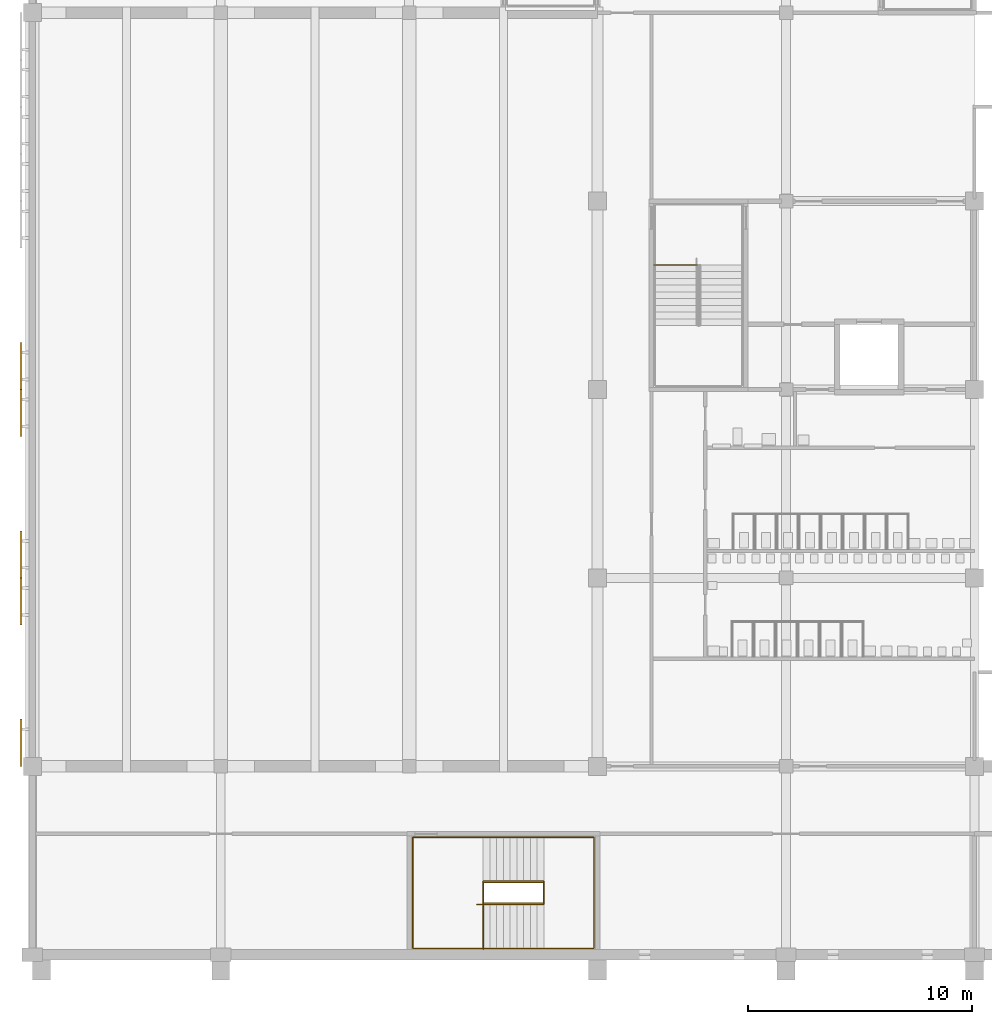
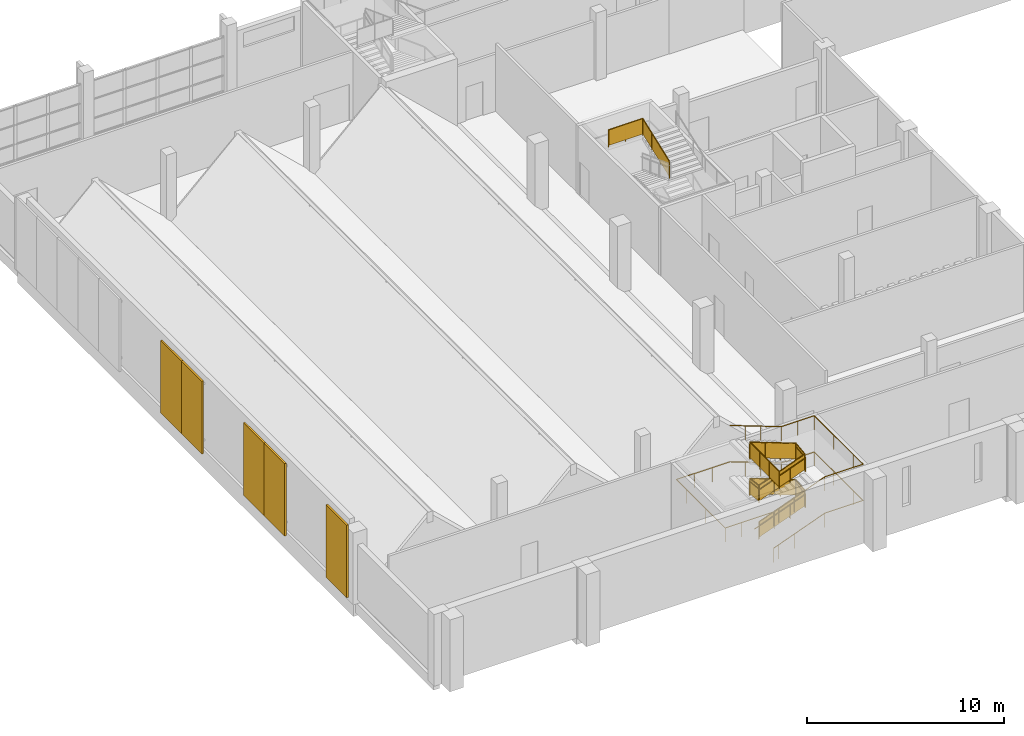
# One storey, part 44 of 56: 5 shading devices, 4 railings.
"""IFC4 building model written with IfcOpenShell, lengths in metres."""

from ifc_helpers import new_model, si_unit, direction, frame, origin, origin_2d, place, context, subcontext, project, spatial, polyline, rectangle, circle, outline, extrude, material, layer, layer_set, type_object, element, save


model = new_model("IFC4")

# Units and contexts
model_context = context("Model", 3, precision=1e-05, world=origin(), true_north=direction((0.0, 1.0)))
body_context = subcontext(model_context, "Body", "Model", "MODEL_VIEW")
ifc_project = project(units=[si_unit("LENGTHUNIT", "METRE"), si_unit("AREAUNIT", "SQUARE_METRE"), si_unit("VOLUMEUNIT", "CUBIC_METRE"), si_unit("PLANEANGLEUNIT", "RADIAN"), si_unit("MASSUNIT", "GRAM", prefix="KILO")], contexts=[model_context])

# Site, building, storey
site_placement = place(None, origin())
site = spatial("IfcSite", under=ifc_project, at=site_placement, CompositionType="ELEMENT")
building_placement = place(site_placement, origin())
building = spatial("IfcBuilding", under=site, at=building_placement, Name="Rulbaag Community and Learning Centre", CompositionType="ELEMENT")
storey_placement = place(building_placement, frame((0.0, 0.0, 9.89990234375)))
storey = spatial("IfcBuildingStorey", under=building, at=storey_placement, Name="L02", CompositionType="ELEMENT", Elevation=9.89990234375)

# Railings
ifc_material_1 = material(Name="Galvanised mild steel", Category="steel")
railing_type_1 = type_object("IfcRailingType", Name="GR-1100 GUARD 1100", PredefinedType="GUARDRAIL", material=ifc_material_1)
railing_1_placement = place(storey_placement, frame((29.719970703125, 28.050048828125, 3.487548828125)))
element("IfcRailing", 1, at=railing_1_placement, inside=storey, type_object=railing_type_1, Name="Guard SH1 L02 G4", PredefinedType="GUARDRAIL", context=body_context, shape_type="SweptSolid", body=[
    extrude(circle(Radius=0.02490234375, at=origin_2d()), frame((0.0, 0.0, 1.0751953125), z_axis=(0.0, 0.93633265699, 0.351114162993), x_axis=(-1.0, 0.0, 0.0)), (0.0, 0.0, 1.0), 2.883544921875),
    extrude(circle(Radius=0.02490234375, at=origin_2d()), frame((0.0, 2.699951171875, 2.08740234375), z_axis=(-1.0, 0.0, 0.0), x_axis=(0.0, -1.0, 0.0)), (0.0, 0.0, 1.0), 2.02001953125),
    extrude(circle(Radius=0.02001953125, at=origin_2d()), origin(), (0.0, 0.0, 1.0), 1.050048828125),
    extrude(circle(Radius=0.02001953125, at=origin_2d()), frame((0.0, 0.89990234375, 0.33740234375)), (0.0, 0.0, 1.0), 1.050048828125),
    extrude(circle(Radius=0.02001953125, at=origin_2d()), frame((0.0, 1.800048828125, 0.675048828125)), (0.0, 0.0, 1.0), 1.050048828125),
    extrude(circle(Radius=0.02001953125, at=origin_2d()), frame((0.0, 2.699951171875, 1.012451171875)), (0.0, 0.0, 1.0), 1.050048828125),
    extrude(circle(Radius=0.02001953125, at=origin_2d()), frame((-1.010009765625, 2.699951171875, 1.012451171875)), (0.0, 0.0, 1.0), 1.050048828125),
    extrude(circle(Radius=0.02001953125, at=origin_2d()), frame((-2.02001953125, 2.699951171875, 1.012451171875)), (0.0, 0.0, 1.0), 1.050048828125),
    extrude(outline(polyline([(0.0, 0.0), (2.699951171875, 1.012451171875), (2.699951171875, 1.96240234375), (0.0, 0.949951171875), (0.0, 0.0)])), frame((-0.0048828125, 0.0, 0.10009765625), z_axis=(1.0, 0.0, 0.0), x_axis=(0.0, 1.0, 0.0)), (0.0, 0.0, 1.0), 0.010009765625),
    extrude(outline(polyline([(0.0, 0.0), (2.02001953125, 0.0), (2.02001953125, 0.949951171875), (0.0, 0.949951171875), (0.0, 0.0)])), frame((0.0, 2.69482421875, 1.112548828125), z_axis=(0.0, 1.0, 0.0), x_axis=(-1.0, 0.0, 0.0)), (0.0, 0.0, 1.0), 0.010009765625),
])
railing_2_placement = place(storey_placement, frame((20.10009765625, 2.304931640625, 0.112548828125)))
element("IfcRailing", 2, at=railing_2_placement, inside=storey, type_object=railing_type_1, Name="Guard SH9 L02 G", PredefinedType="GUARDRAIL", context=body_context, shape_type="SweptSolid", body=[
    extrude(circle(Radius=0.02490234375, at=origin_2d()), frame((0.0, 0.0, 1.0751953125), z_axis=(0.93633265699, 0.0, 0.351114162993), x_axis=(0.0, 1.0, 0.0)), (0.0, 0.0, 1.0), 2.883544921875),
    extrude(circle(Radius=0.02490234375, at=origin_2d()), frame((2.699951171875, 0.0, 2.08740234375), z_axis=(0.0, 0.992520392836, 0.122078949065), x_axis=(-1.0, 0.0, 0.0)), (0.0, 0.0, 1.0), 0.921875),
    extrude(circle(Radius=0.02490234375, at=origin_2d()), frame((2.699951171875, 0.9150390625, 2.2001953125), z_axis=(-0.93633265699, 0.0, 0.351114162993), x_axis=(0.0, -1.0, 0.0)), (0.0, 0.0, 1.0), 2.883544921875),
    extrude(circle(Radius=0.02490234375, at=origin_2d()), frame((0.0, 0.9150390625, 3.21240234375), z_axis=(0.0, -0.992520392836, 0.122078949065), x_axis=(1.0, 0.0, 0.0)), (0.0, 0.0, 1.0), 0.921875),
    extrude(circle(Radius=0.02490234375, at=origin_2d()), frame((0.0, 0.0, 3.3251953125), z_axis=(0.93633265699, 0.0, 0.351114162993), x_axis=(0.0, 1.0, 0.0)), (0.0, 0.0, 1.0), 2.883544921875),
    extrude(circle(Radius=0.02490234375, at=origin_2d()), frame((2.699951171875, 0.0, 4.33740234375), z_axis=(0.0, 0.992520392836, 0.122078949065), x_axis=(-1.0, 0.0, 0.0)), (0.0, 0.0, 1.0), 0.921875),
    extrude(circle(Radius=0.02490234375, at=origin_2d()), frame((2.699951171875, 0.9150390625, 4.4501953125), z_axis=(-0.93633265699, 0.0, 0.351114162993), x_axis=(0.0, -1.0, 0.0)), (0.0, 0.0, 1.0), 2.883544921875),
    extrude(circle(Radius=0.02490234375, at=origin_2d()), frame((0.0, 0.9150390625, 5.46240234375), z_axis=(0.0, -1.0, 0.0), x_axis=(1.0, 0.0, 0.0)), (0.0, 0.0, 1.0), 2.994873046875),
    extrude(circle(Radius=0.02001953125, at=origin_2d()), origin(), (0.0, 0.0, 1.0), 1.050048828125),
    extrude(circle(Radius=0.02001953125, at=origin_2d()), frame((0.89990234375, 0.0, 0.33740234375)), (0.0, 0.0, 1.0), 1.050048828125),
    extrude(circle(Radius=0.02001953125, at=origin_2d()), frame((1.800048828125, 0.0, 0.675048828125)), (0.0, 0.0, 1.0), 1.050048828125),
    extrude(circle(Radius=0.02001953125, at=origin_2d()), frame((2.699951171875, 0.0, 1.012451171875)), (0.0, 0.0, 1.0), 1.050048828125),
    extrude(circle(Radius=0.02001953125, at=origin_2d()), frame((2.699951171875, 0.9150390625, 1.125)), (0.0, 0.0, 1.0), 1.050048828125),
    extrude(circle(Radius=0.02001953125, at=origin_2d()), frame((1.800048828125, 0.9150390625, 1.46240234375)), (0.0, 0.0, 1.0), 1.050048828125),
    extrude(circle(Radius=0.02001953125, at=origin_2d()), frame((0.89990234375, 0.9150390625, 1.800048828125)), (0.0, 0.0, 1.0), 1.050048828125),
    extrude(circle(Radius=0.02001953125, at=origin_2d()), frame((0.0, 0.9150390625, 2.137451171875)), (0.0, 0.0, 1.0), 1.050048828125),
    extrude(circle(Radius=0.02001953125, at=origin_2d()), frame((0.0, 0.0, 2.25)), (0.0, 0.0, 1.0), 1.050048828125),
    extrude(circle(Radius=0.02001953125, at=origin_2d()), frame((0.89990234375, 0.0, 2.58740234375)), (0.0, 0.0, 1.0), 1.050048828125),
    extrude(circle(Radius=0.02001953125, at=origin_2d()), frame((1.800048828125, 0.0, 2.925048828125)), (0.0, 0.0, 1.0), 1.050048828125),
    extrude(circle(Radius=0.02001953125, at=origin_2d()), frame((2.699951171875, 0.0, 3.262451171875)), (0.0, 0.0, 1.0), 1.050048828125),
    extrude(circle(Radius=0.02001953125, at=origin_2d()), frame((2.699951171875, 0.9150390625, 3.375)), (0.0, 0.0, 1.0), 1.050048828125),
    extrude(circle(Radius=0.02001953125, at=origin_2d()), frame((1.800048828125, 0.9150390625, 3.71240234375)), (0.0, 0.0, 1.0), 1.050048828125),
    extrude(circle(Radius=0.02001953125, at=origin_2d()), frame((0.89990234375, 0.9150390625, 4.050048828125)), (0.0, 0.0, 1.0), 1.050048828125),
    extrude(circle(Radius=0.02001953125, at=origin_2d()), frame((0.0, 0.9150390625, 4.387451171875)), (0.0, 0.0, 1.0), 1.050048828125),
    extrude(circle(Radius=0.02001953125, at=origin_2d()), frame((0.0, -0.083251953125, 4.387451171875)), (0.0, 0.0, 1.0), 1.050048828125),
    extrude(circle(Radius=0.02001953125, at=origin_2d()), frame((0.0, -1.08154296875, 4.387451171875)), (0.0, 0.0, 1.0), 1.050048828125),
    extrude(circle(Radius=0.02001953125, at=origin_2d()), frame((0.0, -2.079833984375, 4.387451171875)), (0.0, 0.0, 1.0), 1.050048828125),
    extrude(outline(polyline([(0.0, 0.0), (2.699951171875, 1.012451171875), (2.699951171875, 1.96240234375), (0.0, 0.949951171875), (0.0, 0.0)])), frame((0.0, 0.0048828125, 0.10009765625), z_axis=(0.0, -1.0, 0.0), x_axis=(1.0, 0.0, 0.0)), (0.0, 0.0, 1.0), 0.010009765625),
    extrude(outline(polyline([(0.0, 0.0), (0.9150390625, 0.112548828125), (0.9150390625, 1.0625), (0.0, 0.949951171875), (0.0, 0.0)])), frame((2.69482421875, 0.0, 1.112548828125), z_axis=(1.0, 0.0, 0.0), x_axis=(0.0, 1.0, 0.0)), (0.0, 0.0, 1.0), 0.010009765625),
    extrude(outline(polyline([(0.0, 0.0), (2.699951171875, 1.012451171875), (2.699951171875, 1.96240234375), (0.0, 0.949951171875), (0.0, 0.0)])), frame((2.699951171875, 0.91015625, 1.22509765625), z_axis=(0.0, 1.0, 0.0), x_axis=(-1.0, 0.0, 0.0)), (0.0, 0.0, 1.0), 0.010009765625),
    extrude(outline(polyline([(0.0, 0.0), (0.9150390625, 0.112548828125), (0.9150390625, 1.0625), (0.0, 0.949951171875), (0.0, 0.0)])), frame((0.0048828125, 0.9150390625, 2.237548828125), z_axis=(-1.0, 0.0, 0.0), x_axis=(0.0, -1.0, 0.0)), (0.0, 0.0, 1.0), 0.010009765625),
    extrude(outline(polyline([(0.0, 0.0), (2.699951171875, 1.012451171875), (2.699951171875, 1.96240234375), (0.0, 0.949951171875), (0.0, 0.0)])), frame((0.0, 0.0048828125, 2.35009765625), z_axis=(0.0, -1.0, 0.0), x_axis=(1.0, 0.0, 0.0)), (0.0, 0.0, 1.0), 0.010009765625),
    extrude(outline(polyline([(0.0, 0.0), (0.9150390625, 0.112548828125), (0.9150390625, 1.0625), (0.0, 0.949951171875), (0.0, 0.0)])), frame((2.69482421875, 0.0, 3.362548828125), z_axis=(1.0, 0.0, 0.0), x_axis=(0.0, 1.0, 0.0)), (0.0, 0.0, 1.0), 0.010009765625),
    extrude(outline(polyline([(0.0, 0.0), (2.699951171875, 1.012451171875), (2.699951171875, 1.96240234375), (0.0, 0.949951171875), (0.0, 0.0)])), frame((2.699951171875, 0.91015625, 3.47509765625), z_axis=(0.0, 1.0, 0.0), x_axis=(-1.0, 0.0, 0.0)), (0.0, 0.0, 1.0), 0.010009765625),
    extrude(outline(polyline([(0.0, 0.0), (2.994873046875, 0.0), (2.994873046875, 0.949951171875), (0.0, 0.949951171875), (0.0, 0.0)])), frame((0.0048828125, 0.9150390625, 4.487548828125), z_axis=(-1.0, 0.0, 0.0), x_axis=(0.0, -1.0, 0.0)), (0.0, 0.0, 1.0), 0.010009765625),
])
ifc_material_2 = material(Name="Stainless steel grade 316", Category="steel")
railing_type_2 = type_object("IfcRailingType", Name="HR-900 HANDRAIL 900", PredefinedType="HANDRAIL", material=ifc_material_2)
railing_3_placement = place(storey_placement, frame((19.800048828125, 0.284912109375, 0.0)))
element("IfcRailing", 3, at=railing_3_placement, inside=storey, type_object=railing_type_2, Name="Handrail SH9 L02 O", PredefinedType="HANDRAIL", context=body_context, shape_type="SweptSolid", body=[
    extrude(circle(Radius=0.024169921875, at=origin_2d()), frame((0.0, 0.0, 0.875732421875), z_axis=(0.936297865471, 0.0, 0.351206929196), x_axis=(0.0, 1.0, 0.0)), (0.0, 0.0, 1.0), 0.320556640625),
    extrude(circle(Radius=0.024169921875, at=origin_2d()), frame((0.300048828125, 0.0, 0.98828125), z_axis=(0.93633265699, 0.0, 0.351114162993), x_axis=(0.0, 1.0, 0.0)), (0.0, 0.0, 1.0), 2.883544921875),
    extrude(circle(Radius=0.024169921875, at=origin_2d()), frame((3.0, 0.0, 2.000732421875), z_axis=(1.0, 0.0, 0.0), x_axis=(0.0, 1.0, 0.0)), (0.0, 0.0, 1.0), 2.239990234375),
    extrude(circle(Radius=0.024169921875, at=origin_2d()), frame((5.239990234375, 0.0, 2.000732421875), z_axis=(0.0, 1.0, 0.0), x_axis=(-1.0, 0.0, 0.0)), (0.0, 0.0, 1.0), 4.955078125),
    extrude(circle(Radius=0.024169921875, at=origin_2d()), frame((5.239990234375, 4.955078125, 2.000732421875), z_axis=(-1.0, 0.0, 0.0), x_axis=(0.0, -1.0, 0.0)), (0.0, 0.0, 1.0), 1.93994140625),
    extrude(circle(Radius=0.024169921875, at=origin_2d()), frame((3.300048828125, 4.955078125, 2.000732421875), z_axis=(-0.936297865471, 0.0, 0.351206929196), x_axis=(0.0, -1.0, 0.0)), (0.0, 0.0, 1.0), 0.320556640625),
    extrude(circle(Radius=0.024169921875, at=origin_2d()), frame((3.0, 4.955078125, 2.11328125), z_axis=(-0.93633265699, 0.0, 0.351114162993), x_axis=(0.0, -1.0, 0.0)), (0.0, 0.0, 1.0), 2.883544921875),
    extrude(circle(Radius=0.024169921875, at=origin_2d()), frame((0.300048828125, 4.955078125, 3.125732421875), z_axis=(-1.0, 0.0, 0.0), x_axis=(0.0, -1.0, 0.0)), (0.0, 0.0, 1.0), 3.14013671875),
    extrude(circle(Radius=0.024169921875, at=origin_2d()), frame((-2.840087890625, 4.955078125, 3.125732421875), z_axis=(0.0, -1.0, 0.0), x_axis=(1.0, 0.0, 0.0)), (0.0, 0.0, 1.0), 4.955078125),
    extrude(circle(Radius=0.024169921875, at=origin_2d()), frame((-2.840087890625, 0.0, 3.125732421875), z_axis=(1.0, 0.0, 0.0), x_axis=(0.0, 1.0, 0.0)), (0.0, 0.0, 1.0), 2.840087890625),
    extrude(circle(Radius=0.024169921875, at=origin_2d()), frame((0.0, 0.0, 3.125732421875), z_axis=(0.936297865471, 0.0, 0.351206929196), x_axis=(0.0, 1.0, 0.0)), (0.0, 0.0, 1.0), 0.320556640625),
    extrude(circle(Radius=0.024169921875, at=origin_2d()), frame((0.300048828125, 0.0, 3.23828125), z_axis=(0.93633265699, 0.0, 0.351114162993), x_axis=(0.0, 1.0, 0.0)), (0.0, 0.0, 1.0), 2.883544921875),
    extrude(circle(Radius=0.024169921875, at=origin_2d()), frame((3.0, 0.0, 4.250732421875), z_axis=(1.0, 0.0, 0.0), x_axis=(0.0, 1.0, 0.0)), (0.0, 0.0, 1.0), 2.239990234375),
    extrude(circle(Radius=0.024169921875, at=origin_2d()), frame((5.239990234375, 0.0, 4.250732421875), z_axis=(0.0, 1.0, 0.0), x_axis=(-1.0, 0.0, 0.0)), (0.0, 0.0, 1.0), 4.955078125),
    extrude(circle(Radius=0.024169921875, at=origin_2d()), frame((5.239990234375, 4.955078125, 4.250732421875), z_axis=(-1.0, 0.0, 0.0), x_axis=(0.0, -1.0, 0.0)), (0.0, 0.0, 1.0), 1.93994140625),
    extrude(circle(Radius=0.024169921875, at=origin_2d()), frame((3.300048828125, 4.955078125, 4.250732421875), z_axis=(-0.936297865471, 0.0, 0.351206929196), x_axis=(0.0, -1.0, 0.0)), (0.0, 0.0, 1.0), 0.320556640625),
    extrude(circle(Radius=0.024169921875, at=origin_2d()), frame((3.0, 4.955078125, 4.36328125), z_axis=(-0.93633265699, 0.0, 0.351114162993), x_axis=(0.0, -1.0, 0.0)), (0.0, 0.0, 1.0), 2.883544921875),
    extrude(circle(Radius=0.008056640625, at=origin_2d()), origin(), (0.0, 0.0, 1.0), 0.8515625),
    extrude(circle(Radius=0.008056640625, at=origin_2d()), frame((0.300048828125, 0.0, 0.112548828125)), (0.0, 0.0, 1.0), 0.8515625),
    extrude(circle(Radius=0.008056640625, at=origin_2d()), frame((1.199951171875, 0.0, 0.449951171875)), (0.0, 0.0, 1.0), 0.8515625),
    extrude(circle(Radius=0.008056640625, at=origin_2d()), frame((2.10009765625, 0.0, 0.78759765625)), (0.0, 0.0, 1.0), 0.8515625),
    extrude(circle(Radius=0.008056640625, at=origin_2d()), frame((3.0, 0.0, 1.125)), (0.0, 0.0, 1.0), 0.8515625),
    extrude(circle(Radius=0.008056640625, at=origin_2d()), frame((4.1201171875, 0.0, 1.125)), (0.0, 0.0, 1.0), 0.8515625),
    extrude(circle(Radius=0.008056640625, at=origin_2d()), frame((5.239990234375, 0.0, 1.125)), (0.0, 0.0, 1.0), 0.8515625),
    extrude(circle(Radius=0.008056640625, at=origin_2d()), frame((5.239990234375, 0.990966796875, 1.125)), (0.0, 0.0, 1.0), 0.8515625),
    extrude(circle(Radius=0.008056640625, at=origin_2d()), frame((5.239990234375, 1.98193359375, 1.125)), (0.0, 0.0, 1.0), 0.8515625),
    extrude(circle(Radius=0.008056640625, at=origin_2d()), frame((5.239990234375, 2.97314453125, 1.125)), (0.0, 0.0, 1.0), 0.8515625),
    extrude(circle(Radius=0.008056640625, at=origin_2d()), frame((5.239990234375, 3.964111328125, 1.125)), (0.0, 0.0, 1.0), 0.8515625),
    extrude(circle(Radius=0.008056640625, at=origin_2d()), frame((5.239990234375, 4.955078125, 1.125)), (0.0, 0.0, 1.0), 0.8515625),
    extrude(circle(Radius=0.008056640625, at=origin_2d()), frame((4.27001953125, 4.955078125, 1.125)), (0.0, 0.0, 1.0), 0.8515625),
    extrude(circle(Radius=0.008056640625, at=origin_2d()), frame((3.300048828125, 4.955078125, 1.125)), (0.0, 0.0, 1.0), 0.8515625),
    extrude(circle(Radius=0.008056640625, at=origin_2d()), frame((3.0, 4.955078125, 1.237548828125)), (0.0, 0.0, 1.0), 0.8515625),
    extrude(circle(Radius=0.008056640625, at=origin_2d()), frame((2.10009765625, 4.955078125, 1.574951171875)), (0.0, 0.0, 1.0), 0.8515625),
    extrude(circle(Radius=0.008056640625, at=origin_2d()), frame((1.199951171875, 4.955078125, 1.91259765625)), (0.0, 0.0, 1.0), 0.8515625),
    extrude(circle(Radius=0.008056640625, at=origin_2d()), frame((0.300048828125, 4.955078125, 2.25)), (0.0, 0.0, 1.0), 0.8515625),
    extrude(circle(Radius=0.008056640625, at=origin_2d()), frame((-0.74658203125, 4.955078125, 2.25)), (0.0, 0.0, 1.0), 0.8515625),
    extrude(circle(Radius=0.008056640625, at=origin_2d()), frame((-1.79345703125, 4.955078125, 2.25)), (0.0, 0.0, 1.0), 0.8515625),
    extrude(circle(Radius=0.008056640625, at=origin_2d()), frame((-2.840087890625, 4.955078125, 2.25)), (0.0, 0.0, 1.0), 0.8515625),
    extrude(circle(Radius=0.008056640625, at=origin_2d()), frame((-2.840087890625, 3.964111328125, 2.25)), (0.0, 0.0, 1.0), 0.8515625),
    extrude(circle(Radius=0.008056640625, at=origin_2d()), frame((-2.840087890625, 2.97314453125, 2.25)), (0.0, 0.0, 1.0), 0.8515625),
    extrude(circle(Radius=0.008056640625, at=origin_2d()), frame((-2.840087890625, 1.98193359375, 2.25)), (0.0, 0.0, 1.0), 0.8515625),
    extrude(circle(Radius=0.008056640625, at=origin_2d()), frame((-2.840087890625, 0.990966796875, 2.25)), (0.0, 0.0, 1.0), 0.8515625),
    extrude(circle(Radius=0.008056640625, at=origin_2d()), frame((-2.840087890625, 0.0, 2.25)), (0.0, 0.0, 1.0), 0.8515625),
    extrude(circle(Radius=0.008056640625, at=origin_2d()), frame((-1.893310546875, 0.0, 2.25)), (0.0, 0.0, 1.0), 0.8515625),
    extrude(circle(Radius=0.008056640625, at=origin_2d()), frame((-0.94677734375, 0.0, 2.25)), (0.0, 0.0, 1.0), 0.8515625),
    extrude(circle(Radius=0.008056640625, at=origin_2d()), frame((0.0, 0.0, 2.25)), (0.0, 0.0, 1.0), 0.8515625),
    extrude(circle(Radius=0.008056640625, at=origin_2d()), frame((0.300048828125, 0.0, 2.362548828125)), (0.0, 0.0, 1.0), 0.8515625),
    extrude(circle(Radius=0.008056640625, at=origin_2d()), frame((1.199951171875, 0.0, 2.699951171875)), (0.0, 0.0, 1.0), 0.8515625),
    extrude(circle(Radius=0.008056640625, at=origin_2d()), frame((2.10009765625, 0.0, 3.03759765625)), (0.0, 0.0, 1.0), 0.8515625),
    extrude(circle(Radius=0.008056640625, at=origin_2d()), frame((3.0, 0.0, 3.375)), (0.0, 0.0, 1.0), 0.8515625),
    extrude(circle(Radius=0.008056640625, at=origin_2d()), frame((4.1201171875, 0.0, 3.375)), (0.0, 0.0, 1.0), 0.8515625),
    extrude(circle(Radius=0.008056640625, at=origin_2d()), frame((5.239990234375, 0.0, 3.375)), (0.0, 0.0, 1.0), 0.8515625),
    extrude(circle(Radius=0.008056640625, at=origin_2d()), frame((5.239990234375, 0.990966796875, 3.375)), (0.0, 0.0, 1.0), 0.8515625),
    extrude(circle(Radius=0.008056640625, at=origin_2d()), frame((5.239990234375, 1.98193359375, 3.375)), (0.0, 0.0, 1.0), 0.8515625),
    extrude(circle(Radius=0.008056640625, at=origin_2d()), frame((5.239990234375, 2.97314453125, 3.375)), (0.0, 0.0, 1.0), 0.8515625),
    extrude(circle(Radius=0.008056640625, at=origin_2d()), frame((5.239990234375, 3.964111328125, 3.375)), (0.0, 0.0, 1.0), 0.8515625),
    extrude(circle(Radius=0.008056640625, at=origin_2d()), frame((5.239990234375, 4.955078125, 3.375)), (0.0, 0.0, 1.0), 0.8515625),
    extrude(circle(Radius=0.008056640625, at=origin_2d()), frame((4.27001953125, 4.955078125, 3.375)), (0.0, 0.0, 1.0), 0.8515625),
    extrude(circle(Radius=0.008056640625, at=origin_2d()), frame((3.300048828125, 4.955078125, 3.375)), (0.0, 0.0, 1.0), 0.8515625),
    extrude(circle(Radius=0.008056640625, at=origin_2d()), frame((3.0, 4.955078125, 3.487548828125)), (0.0, 0.0, 1.0), 0.8515625),
    extrude(circle(Radius=0.008056640625, at=origin_2d()), frame((2.10009765625, 4.955078125, 3.824951171875)), (0.0, 0.0, 1.0), 0.8515625),
    extrude(circle(Radius=0.008056640625, at=origin_2d()), frame((1.199951171875, 4.955078125, 4.16259765625)), (0.0, 0.0, 1.0), 0.8515625),
    extrude(circle(Radius=0.008056640625, at=origin_2d()), frame((0.300048828125, 4.955078125, 4.5)), (0.0, 0.0, 1.0), 0.8515625),
])
railing_4_placement = place(storey_placement, frame((19.800048828125, 2.235107421875, 0.0)))
element("IfcRailing", 4, at=railing_4_placement, inside=storey, type_object=railing_type_2, Name="Handrail SH9 L02 I", PredefinedType="HANDRAIL", context=body_context, shape_type="SweptSolid", body=[
    extrude(circle(Radius=0.024169921875, at=origin_2d()), frame((0.0, 0.0, 0.875732421875), z_axis=(0.936297865471, 0.0, 0.351206929196), x_axis=(0.0, 1.0, 0.0)), (0.0, 0.0, 1.0), 0.320556640625),
    extrude(circle(Radius=0.024169921875, at=origin_2d()), frame((0.300048828125, 0.0, 0.98828125), z_axis=(0.93633265699, 0.0, 0.351114162993), x_axis=(0.0, 1.0, 0.0)), (0.0, 0.0, 1.0), 2.883544921875),
    extrude(circle(Radius=0.024169921875, at=origin_2d()), frame((3.0, 0.0, 2.000732421875), z_axis=(0.0, 0.994356935106, 0.106086217793), x_axis=(-1.0, 0.0, 0.0)), (0.0, 0.0, 1.0), 1.06103515625),
    extrude(circle(Radius=0.024169921875, at=origin_2d()), frame((3.0, 1.054931640625, 2.11328125), z_axis=(-0.93633265699, 0.0, 0.351114162993), x_axis=(0.0, -1.0, 0.0)), (0.0, 0.0, 1.0), 2.883544921875),
    extrude(circle(Radius=0.024169921875, at=origin_2d()), frame((0.300048828125, 1.054931640625, 3.125732421875), z_axis=(0.0, -0.994356935106, 0.106086217793), x_axis=(1.0, 0.0, 0.0)), (0.0, 0.0, 1.0), 1.06103515625),
    extrude(circle(Radius=0.024169921875, at=origin_2d()), frame((0.300048828125, 0.0, 3.23828125), z_axis=(0.93633265699, 0.0, 0.351114162993), x_axis=(0.0, 1.0, 0.0)), (0.0, 0.0, 1.0), 2.883544921875),
    extrude(circle(Radius=0.024169921875, at=origin_2d()), frame((3.0, 0.0, 4.250732421875), z_axis=(0.0, 0.994356935106, 0.106086217793), x_axis=(-1.0, 0.0, 0.0)), (0.0, 0.0, 1.0), 1.06103515625),
    extrude(circle(Radius=0.024169921875, at=origin_2d()), frame((3.0, 1.054931640625, 4.36328125), z_axis=(-0.93633265699, 0.0, 0.351114162993), x_axis=(0.0, -1.0, 0.0)), (0.0, 0.0, 1.0), 2.883544921875),
    extrude(circle(Radius=0.008056640625, at=origin_2d()), origin(), (0.0, 0.0, 1.0), 0.8515625),
    extrude(circle(Radius=0.008056640625, at=origin_2d()), frame((0.300048828125, 0.0, 0.112548828125)), (0.0, 0.0, 1.0), 0.8515625),
    extrude(circle(Radius=0.008056640625, at=origin_2d()), frame((1.199951171875, 0.0, 0.449951171875)), (0.0, 0.0, 1.0), 0.8515625),
    extrude(circle(Radius=0.008056640625, at=origin_2d()), frame((2.10009765625, 0.0, 0.78759765625)), (0.0, 0.0, 1.0), 0.8515625),
    extrude(circle(Radius=0.008056640625, at=origin_2d()), frame((3.0, 0.0, 1.125)), (0.0, 0.0, 1.0), 0.8515625),
    extrude(circle(Radius=0.008056640625, at=origin_2d()), frame((3.0, 1.054931640625, 1.237548828125)), (0.0, 0.0, 1.0), 0.8515625),
    extrude(circle(Radius=0.008056640625, at=origin_2d()), frame((2.10009765625, 1.054931640625, 1.574951171875)), (0.0, 0.0, 1.0), 0.8515625),
    extrude(circle(Radius=0.008056640625, at=origin_2d()), frame((1.199951171875, 1.054931640625, 1.91259765625)), (0.0, 0.0, 1.0), 0.8515625),
    extrude(circle(Radius=0.008056640625, at=origin_2d()), frame((0.300048828125, 1.054931640625, 2.25)), (0.0, 0.0, 1.0), 0.8515625),
    extrude(circle(Radius=0.008056640625, at=origin_2d()), frame((0.300048828125, 0.0, 2.362548828125)), (0.0, 0.0, 1.0), 0.8515625),
    extrude(circle(Radius=0.008056640625, at=origin_2d()), frame((1.199951171875, 0.0, 2.699951171875)), (0.0, 0.0, 1.0), 0.8515625),
    extrude(circle(Radius=0.008056640625, at=origin_2d()), frame((2.10009765625, 0.0, 3.03759765625)), (0.0, 0.0, 1.0), 0.8515625),
    extrude(circle(Radius=0.008056640625, at=origin_2d()), frame((3.0, 0.0, 3.375)), (0.0, 0.0, 1.0), 0.8515625),
    extrude(circle(Radius=0.008056640625, at=origin_2d()), frame((3.0, 1.054931640625, 3.487548828125)), (0.0, 0.0, 1.0), 0.8515625),
    extrude(circle(Radius=0.008056640625, at=origin_2d()), frame((2.10009765625, 1.054931640625, 3.824951171875)), (0.0, 0.0, 1.0), 0.8515625),
    extrude(circle(Radius=0.008056640625, at=origin_2d()), frame((1.199951171875, 1.054931640625, 4.16259765625)), (0.0, 0.0, 1.0), 0.8515625),
    extrude(circle(Radius=0.008056640625, at=origin_2d()), frame((0.300048828125, 1.054931640625, 4.5)), (0.0, 0.0, 1.0), 0.8515625),
])

# Shading devices
ifc_material_3 = material(Name="Concrete M40", Category="concrete")
ifc_layer = layer(ifc_material_3, 0.10009765625)
ifc_layer_set = layer_set([ifc_layer], Name="JS-100")
shading_device_type = type_object("IfcShadingDeviceType", Name="JS-100", PredefinedType="SHUTTER", material=ifc_layer_set)
for number, where, z_axis, x_axis, name in (
    (5, (-0.5, 9.449951171875, 0.0), (0.0, 0.0, 1.0), (1.0, 0.0, 0.0), "Jaali screen"),
    (6, (-0.5, 15.75, 0.0), (0.0, 0.0, 1.0), (1.0, 0.0, 0.0), "Jaali screen"),
    (7, (-0.5, 17.85009765625, 0.0), (0.0, 0.0, 1.0), (1.0, 0.0, 0.0), "Jaali screen"),
    (8, (-0.5, 24.14990234375, 0.0), (0.0, 0.0, 1.0), (1.0, 0.0, 0.0), "Jaali screen"),
    (9, (-0.5, 26.25, 0.0), (0.0, 0.0, 1.0), (1.0, 0.0, 0.0), "Jaali screen"),
):
    element("IfcShadingDevice", number, at=place(storey_placement, frame(where, z_axis=z_axis, x_axis=x_axis)), inside=storey, type_object=shading_device_type, Name=name, PredefinedType="SHUTTER", context=body_context, shape_type="SweptSolid", body=[
        extrude(rectangle(XDim=0.10009765625, YDim=2.10009765625, at=origin_2d()), origin(), (0.0, 0.0, 1.0), 4.5),
    ])

save(model, "model.ifc")
